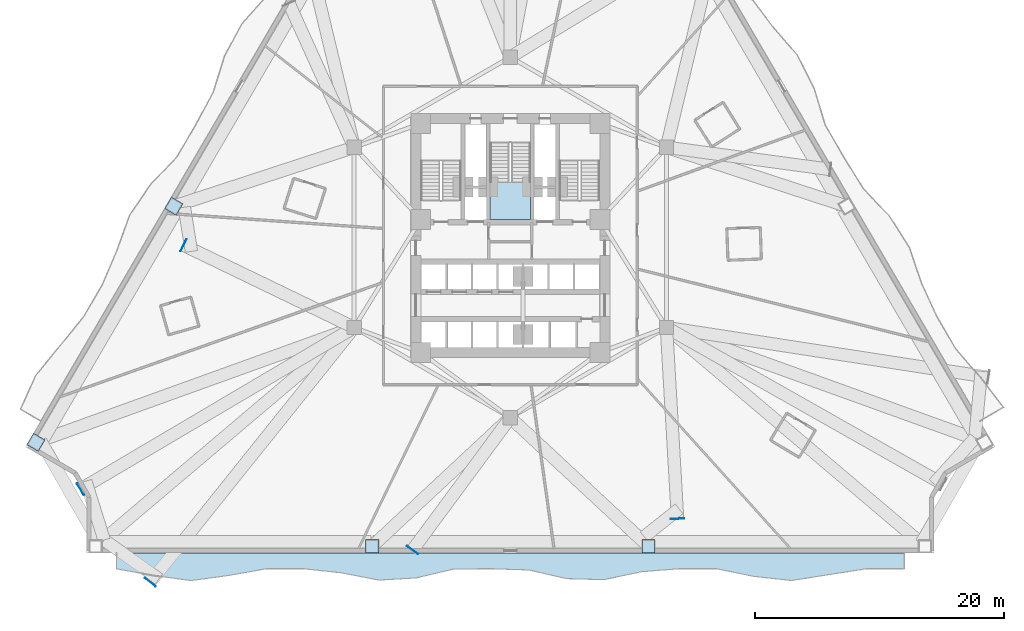
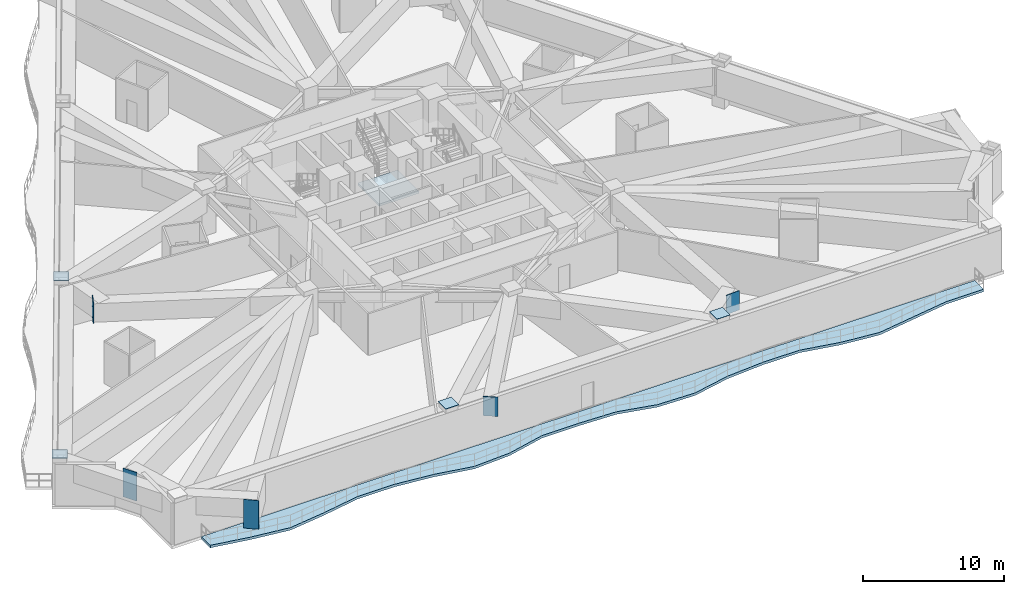
# One storey, part 3 of 16: 9 plates, 2 slabs, 1 element without a shape of its own.
"""IFC4 building model written with IfcOpenShell, lengths in metres."""

import ifcopenshell
import ifcopenshell.guid

model = None  # the IFC model being written
_history = None  # IfcOwnerHistory: only IFC2X3 demands one
_inside = {}  # id of a spatial element -> (the spatial element, [elements in it])
_under = {}  # id of a project, library or spatial element -> (it, [spatial elements below it])
_declared = {}  # id of a project -> (the project, [libraries it declares])
_typed = {}  # id of a type object -> (the type object, [elements of that type])
_made_of = {}  # id of a material, layer set ... -> (it, [elements and type objects made of it])


def new_model(schema):
    """Start an empty IFC model of exactly this schema.

    Asked for "IFC4X3", IfcOpenShell would pick the latest addendum, in which some entities
    have other attributes; the version numbers below select the first issue.
    IFC2X3 requires an IfcOwnerHistory on every rooted entity: one is made here for all.
    """
    global model, _history
    if schema == "IFC4X3":
        model = ifcopenshell.file(schema_version=(4, 3, 0, 0))
    else:
        model = ifcopenshell.file(schema=schema)
    _inside.clear()
    _under.clear()
    _declared.clear()
    _typed.clear()
    _made_of.clear()
    _history = None
    if model.schema == "IFC2X3":
        org = make("IfcOrganization", Name="unknown")
        user = make(
            "IfcPersonAndOrganization",
            ThePerson=make("IfcPerson", FamilyName="unknown"),
            TheOrganization=org,
        )
        app = make(
            "IfcApplication",
            ApplicationDeveloper=org,
            Version="unknown",
            ApplicationFullName="unknown",
            ApplicationIdentifier="unknown",
        )
        _history = make(
            "IfcOwnerHistory",
            OwningUser=user,
            OwningApplication=app,
            ChangeAction="ADDED",
            CreationDate=0,
        )
    return model


def make(cls, **values):
    """One entity of the class cls with the attributes given. An attribute that is None is left unset."""
    return model.create_entity(
        cls, **{name: value for name, value in values.items() if value is not None}
    )


def rooted(cls, **values):
    """An entity with a GlobalId (a new one), such as an element, a storey or a relation."""
    return make(cls, GlobalId=ifcopenshell.guid.new(), OwnerHistory=_history, **values)


def si_unit(unit_type, name, prefix=None):
    """IfcSIUnit, for example si_unit("LENGTHUNIT", "METRE", prefix="MILLI")."""
    return make("IfcSIUnit", UnitType=unit_type, Prefix=prefix, Name=name)


def assignment(units):
    """IfcUnitAssignment: the units of a project."""
    return None if units is None else make("IfcUnitAssignment", Units=units)


def point(xyz):
    """IfcCartesianPoint."""
    return None if xyz is None else make("IfcCartesianPoint", Coordinates=xyz)


def direction(xyz):
    """IfcDirection."""
    return None if xyz is None else make("IfcDirection", DirectionRatios=xyz)


def frame(location, z_axis=None, x_axis=None):
    """IfcAxis2Placement3D, a coordinate frame: its origin and axes. An axis left out is left unset."""
    return make(
        "IfcAxis2Placement3D",
        Location=point(location),
        Axis=direction(z_axis),
        RefDirection=direction(x_axis),
    )


def frame_2d(location, x_axis=None):
    """IfcAxis2Placement2D, a coordinate frame in the plane: its origin and x axis."""
    return make(
        "IfcAxis2Placement2D", Location=point(location), RefDirection=direction(x_axis)
    )


def origin():
    """The frame at (0, 0, 0) with its axes left unset."""
    return frame((0.0, 0.0, 0.0))


def origin_2d():
    """The frame at (0, 0) in the plane with its x axis left unset."""
    return frame_2d((0.0, 0.0))


def place(relative_to, where):
    """IfcLocalPlacement: puts the frame where relative to a parent placement (None: the world)."""
    return make(
        "IfcLocalPlacement", PlacementRelTo=relative_to, RelativePlacement=where
    )


def context(
    kind, dimensions, precision=None, world=None, true_north=None, identifier=None
):
    """IfcGeometricRepresentationContext, for example the 3D "Model" context."""
    return make(
        "IfcGeometricRepresentationContext",
        ContextIdentifier=identifier,
        ContextType=kind,
        CoordinateSpaceDimension=dimensions,
        Precision=precision,
        WorldCoordinateSystem=world,
        TrueNorth=true_north,
    )


def subcontext(parent, identifier, kind, view, scale=None):
    """IfcGeometricRepresentationSubContext, for example "Body" below "Model"."""
    return make(
        "IfcGeometricRepresentationSubContext",
        ContextIdentifier=identifier,
        ContextType=kind,
        ParentContext=parent,
        TargetScale=scale,
        TargetView=view,
    )


def project(units=None, contexts=None):
    """IfcProject with its units and contexts."""
    return rooted(
        "IfcProject",
        Name="project",
        RepresentationContexts=contexts,
        UnitsInContext=assignment(units),
    )


def spatial(cls, under=None, at=None, **own):
    """A site, building, storey or space (cls), placed at a placement, below another one or the project."""
    s = rooted(cls, ObjectPlacement=at, **own)
    if under is not None:
        _under.setdefault(under.id(), (under, []))[1].append(s)
    return s


def polyline(points):
    """IfcPolyline through the points."""
    return make("IfcPolyline", Points=[point(p) for p in points])


def profile(cls, at=None, kind="AREA", **sizes):
    """A parametric profile (cls). Its sizes go by their IFC names, for example OverallWidth=200.0."""
    return make(cls, ProfileType=kind, Position=at, **sizes)


def rectangle(**sizes):
    """IfcRectangleProfileDef."""
    return profile("IfcRectangleProfileDef", **sizes)


def outline(outer, holes=None, kind="AREA"):
    """IfcArbitraryClosedProfileDef: a profile drawn as a closed curve; with holes, ...WithVoids."""
    if holes is None:
        return make("IfcArbitraryClosedProfileDef", ProfileType=kind, OuterCurve=outer)
    return make(
        "IfcArbitraryProfileDefWithVoids",
        ProfileType=kind,
        OuterCurve=outer,
        InnerCurves=holes,
    )


def extrude(swept, where, along, depth):
    """IfcExtrudedAreaSolid: the profile swept, set in the frame where, extruded along a direction by depth."""
    return make(
        "IfcExtrudedAreaSolid",
        SweptArea=swept,
        Position=where,
        ExtrudedDirection=direction(along),
        Depth=depth,
    )


def shape(context_of_items, identifier, shape_type, items):
    """IfcShapeRepresentation: the items that make up one representation, for example the "Body"."""
    return make(
        "IfcShapeRepresentation",
        ContextOfItems=context_of_items,
        RepresentationIdentifier=identifier,
        RepresentationType=shape_type,
        Items=items,
    )


def material(Name=None, Category=None):
    """IfcMaterial."""
    return make("IfcMaterial", Name=Name, Category=Category)


def layer(
    of_material, thickness, ventilated=None, Name=None, Category=None, Priority=None
):
    """IfcMaterialLayer: one layer of a wall or slab, of a material (None: an air gap)."""
    return make(
        "IfcMaterialLayer",
        Material=of_material,
        LayerThickness=thickness,
        IsVentilated=ventilated,
        Name=Name,
        Category=Category,
        Priority=Priority,
    )


def layer_set(layers, Name=None):
    """IfcMaterialLayerSet."""
    return make("IfcMaterialLayerSet", MaterialLayers=layers, LayerSetName=Name)


def made_of(thing, what):
    """Note that an element or type object is made of a material, layer set ...; save() writes the relation."""
    if what is not None:
        _made_of.setdefault(what.id(), (what, []))[1].append(thing)
    return thing


def type_object(cls, material=None, **own):
    """A type object (cls), such as IfcWallType, which elements share."""
    return made_of(rooted(cls, **own), material)


def element(
    cls,
    number,
    at=None,
    inside=None,
    cuts=None,
    type_object=None,
    material=None,
    context=None,
    identifier="Body",
    shape_type=None,
    held_by="IfcProductDefinitionShape",
    body=None,
    shapes=None,
    **own,
):
    """One element of the class cls, such as IfcWall. Its Tag is "e" and its number.

    at: its placement. inside: the storey or other place that contains it. cuts: it is an
    opening in that element (IfcRelVoidsElement). A single representation is given by context,
    identifier, shape_type and body (its items); several are given by shapes. held_by: the class
    of the entity that holds the representations. save() writes the other relations.
    """
    e = rooted(cls, Tag="e%d" % number, ObjectPlacement=at, **own)
    if body is not None:
        shapes = [shape(context, identifier, shape_type, body)]
    if shapes is not None:
        e.Representation = make(held_by, Representations=shapes)
    if inside is not None:
        _inside.setdefault(inside.id(), (inside, []))[1].append(e)
    if cuts is not None:
        rooted(
            "IfcRelVoidsElement", RelatingBuildingElement=cuts, RelatedOpeningElement=e
        )
    if type_object is not None:
        _typed.setdefault(type_object.id(), (type_object, []))[1].append(e)
    return made_of(e, material)


def aggregate(whole, parts):
    """IfcRelAggregates: a whole, such as a stair, and the parts it consists of."""
    return rooted("IfcRelAggregates", RelatingObject=whole, RelatedObjects=parts)


def save(model, path):
    """Write the relations noted so far, then the file.

    IfcRelAggregates (storeys below a building ...), IfcRelContainedInSpatialStructure (elements
    in a storey), IfcRelDefinesByType, IfcRelAssociatesMaterial and IfcRelDeclares: one each for
    every whole, place, type object, material and project.
    """
    for whole, parts in _under.values():
        aggregate(whole, parts)
    for where, things in _inside.values():
        rooted(
            "IfcRelContainedInSpatialStructure",
            RelatedElements=things,
            RelatingStructure=where,
        )
    for kind, things in _typed.values():
        rooted("IfcRelDefinesByType", RelatedObjects=things, RelatingType=kind)
    for what, things in _made_of.values():
        rooted("IfcRelAssociatesMaterial", RelatedObjects=things, RelatingMaterial=what)
    for by, libraries in _declared.values():
        rooted("IfcRelDeclares", RelatingContext=by, RelatedDefinitions=libraries)
    model.write(path)


model = new_model("IFC4")

# Units and contexts
model_context = context("Model", 3, precision=1e-05, world=origin(), true_north=direction((0.0, 1.0)))
body_context = subcontext(model_context, "Body", "Model", "MODEL_VIEW")
ifc_project = project(units=[si_unit("LENGTHUNIT", "METRE"), si_unit("AREAUNIT", "SQUARE_METRE"), si_unit("VOLUMEUNIT", "CUBIC_METRE"), si_unit("PLANEANGLEUNIT", "RADIAN"), si_unit("MASSUNIT", "GRAM", prefix="KILO")], contexts=[model_context])

# Site, building, storey
site_placement = place(None, origin())
site = spatial("IfcSite", under=ifc_project, at=site_placement, CompositionType="ELEMENT")
building_placement = place(site_placement, origin())
building = spatial("IfcBuilding", under=site, at=building_placement, Name="Apsidion Concourse Tower", CompositionType="ELEMENT")
storey_placement = place(building_placement, frame((0.0, 0.0, 58.39990234375)))
storey = spatial("IfcBuildingStorey", under=building, at=storey_placement, Name="L12", CompositionType="ELEMENT", Elevation=58.39990234375)

# Plates
ifc_material_1 = material(Name="Structural steel ASTM A572 Grade 50", Category="steel")
ifc_layer_1 = layer(ifc_material_1, 0.034912109375)
ifc_layer_set_1 = layer_set([ifc_layer_1], Name="Structural steel ASTM A572 Grade 50")
plate_type = type_object("IfcPlateType", Name="PL-ENDCAP-35", PredefinedType="USERDEFINED", material=ifc_layer_set_1)
for number, where, z_axis, x_axis, name in (
    (1, (-27.065185546875, 2.50634765625, 3.998046875), (0.0, 0.0, 1.0), (0.50437692518, 0.863483594138, 0.0), "L12 Step-Top Column End-Cap Plate PCCAP-PC03"),
    (2, (-38.154052734375, -16.481201171875, 3.998046875), (0.0, 0.0, 1.0), (0.50437692518, 0.863483594138, 0.0), "L12 Step-Top Column End-Cap Plate PCCAP-PC04"),
    (3, (-11.11669921875, -24.85009765625, 3.998046875), (0.0, 0.0, 1.0), (1.0, 0.0, 0.0), "L12 Step-Top Column End-Cap Plate PCCAP-PC06"),
    (4, (11.11669921875, -24.85009765625, 3.998046875), (0.0, 0.0, 1.0), (1.0, 0.0, 0.0), "L12 Step-Top Column End-Cap Plate PCCAP-PC07"),
):
    element("IfcPlate", number, at=place(storey_placement, frame(where, z_axis=z_axis, x_axis=x_axis)), inside=storey, type_object=plate_type, Name=name, ObjectType="FLANGE_PLATE", PredefinedType="USERDEFINED", context=body_context, shape_type="SweptSolid", body=[
        extrude(rectangle(XDim=1.080078125, YDim=1.080078125, at=origin_2d()), origin(), (0.0, 0.0, 1.0), 0.0400390625),
    ])
plate_placement = place(storey_placement, frame((-26.283203125, -0.62744140625, 1.9599609375), z_axis=(0.0, 0.0, 1.0), x_axis=(-0.900622400603, 0.434602452285, 0.0)))
element("IfcPlate", 5, at=plate_placement, inside=storey, type_object=plate_type, Name="L12 Radial Transfer Girder End-Cap Plate NTRCAP-03", ObjectType="FLANGE_PLATE", PredefinedType="USERDEFINED", context=body_context, shape_type="SweptSolid", body=[
    extrude(rectangle(XDim=0.044921875, YDim=1.080078125, at=origin_2d()), origin(), (0.0, 0.0, 1.0), 1.679931640625),
])
for number, where, z_axis, x_axis, name in (
    (6, (-34.572265625, -20.2568359375, 1.16015625), (0.0, 0.0, 1.0), (-0.860919663536, -0.508740929096, 0.0), "L12 Radial Transfer Girder End-Cap Plate NTRCAP-04"),
    (7, (-28.9580078125, -27.731689453125, 1.16015625), (0.0, 0.0, 1.0), (-0.624970196645, -0.780648610647, 0.0), "L12 Radial Transfer Girder End-Cap Plate NTRCAP-05"),
):
    element("IfcPlate", number, at=place(storey_placement, frame(where, z_axis=z_axis, x_axis=x_axis)), inside=storey, type_object=plate_type, Name=name, ObjectType="FLANGE_PLATE", PredefinedType="USERDEFINED", context=body_context, shape_type="SweptSolid", body=[
        extrude(rectangle(XDim=0.044921875, YDim=1.080078125, at=origin_2d()), origin(), (0.0, 0.0, 1.0), 2.47998046875),
    ])
for number, where, z_axis, x_axis, name in (
    (8, (-7.865966796875, -25.152099609375, 1.9599609375), (0.0, 0.0, 1.0), (-0.593980663821, -0.804479316705, 0.0), "L12 Radial Transfer Girder End-Cap Plate NTRCAP-06"),
    (9, (13.45458984375, -22.635009765625, 1.9599609375), (0.0, 0.0, 1.0), (0.058086749598, -0.998311539311, 0.0), "L12 Radial Transfer Girder End-Cap Plate NTRCAP-07"),
):
    element("IfcPlate", number, at=place(storey_placement, frame(where, z_axis=z_axis, x_axis=x_axis)), inside=storey, type_object=plate_type, Name=name, ObjectType="FLANGE_PLATE", PredefinedType="USERDEFINED", context=body_context, shape_type="SweptSolid", body=[
        extrude(rectangle(XDim=0.044921875, YDim=1.080078125, at=origin_2d()), origin(), (0.0, 0.0, 1.0), 1.679931640625),
    ])

# Slab
ifc_material_2 = material(Name="Concrete C50/60", Category="concrete")
ifc_layer_2 = layer(ifc_material_2, 0.219970703125)
ifc_layer_set_2 = layer_set([ifc_layer_2], Name="Concrete C50/60")
slab_type_1 = type_object("IfcSlabType", Name="SL-BAL-220", PredefinedType="FLOOR", material=ifc_layer_set_2)
slab_1_placement = place(storey_placement, frame((0.0, 0.0, -0.219970703125)))
element("IfcSlab", 10, at=slab_1_placement, inside=storey, type_object=slab_type_1, Name="L12 Face 2 Rippling Balcony Slab", PredefinedType="FLOOR", context=body_context, shape_type="SweptSolid", body=[
    extrude(outline(polyline([(-31.68798828125, -25.39990234375), (-28.670166015625, -25.39990234375), (-25.65234375, -25.39990234375), (-22.634521484375, -25.39990234375), (-19.616455078125, -25.39990234375), (-16.598388671875, -25.39990234375), (-13.58056640625, -25.39990234375), (-10.562744140625, -25.39990234375), (-7.544921875, -25.39990234375), (-4.52685546875, -25.39990234375), (-1.509033203125, -25.39990234375), (1.509033203125, -25.39990234375), (4.52685546875, -25.39990234375), (7.544921875, -25.39990234375), (10.562744140625, -25.39990234375), (13.58056640625, -25.39990234375), (16.598388671875, -25.39990234375), (19.616455078125, -25.39990234375), (22.634521484375, -25.39990234375), (25.65234375, -25.39990234375), (28.670166015625, -25.39990234375), (31.68798828125, -25.39990234375), (31.68798828125, -26.64990234375), (28.670166015625, -26.64990234375), (25.65234375, -27.116455078125), (22.634521484375, -27.5947265625), (19.616455078125, -27.2685546875), (16.598388671875, -26.64990234375), (13.58056640625, -26.64990234375), (10.562744140625, -26.885986328125), (7.544921875, -27.525390625), (4.52685546875, -27.44677734375), (1.509033203125, -26.748291015625), (-1.509033203125, -26.64990234375), (-4.52685546875, -26.663818359375), (-7.544921875, -27.383056640625), (-10.562744140625, -27.56201171875), (-13.58056640625, -26.977294921875), (-16.598388671875, -26.64990234375), (-19.616455078125, -26.64990234375), (-22.634521484375, -27.18603515625), (-25.65234375, -27.599853515625), (-28.670166015625, -27.202880859375), (-31.68798828125, -26.64990234375), (-31.68798828125, -25.39990234375)])), origin(), (0.0, 0.0, 1.0), 0.219970703125),
])

# Stair, slab
ifc_material_3 = material(Name="Precast concrete C40/50", Category="concrete")
stair_type = type_object("IfcStairType", Name="ST-DL-1550", PredefinedType="HALF_TURN_STAIR", material=ifc_material_3)
stair_placement = place(storey_placement, origin())
stair = element("IfcStair", 11, at=stair_placement, inside=storey, type_object=stair_type, Name="L12 Protected Core Exit Stair ST3", PredefinedType="HALF_TURN_STAIR")
ifc_layer_3 = layer(ifc_material_2, 0.199951171875)
ifc_layer_set_3 = layer_set([ifc_layer_3], Name="Concrete C50/60")
slab_type_2 = type_object("IfcSlabType", Name="SL-ST-LAND-200", PredefinedType="LANDING", material=ifc_layer_set_3)
slab_2_placement = place(storey_placement, frame((0.0, 0.0, 1.800048828125)))
slab_2 = element("IfcSlab", 12, at=slab_2_placement, type_object=slab_type_2, Name="ST3 landing 1", PredefinedType="LANDING", context=body_context, shape_type="SweptSolid", body=[
    extrude(outline(polyline([(-1.625, 4.465087890625), (-1.625, 1.449951171875), (1.625, 1.449951171875), (1.625, 4.465087890625), (-1.625, 4.465087890625)])), origin(), (0.0, 0.0, 1.0), 0.199951171875),
])
aggregate(stair, [slab_2])

save(model, "model.ifc")
